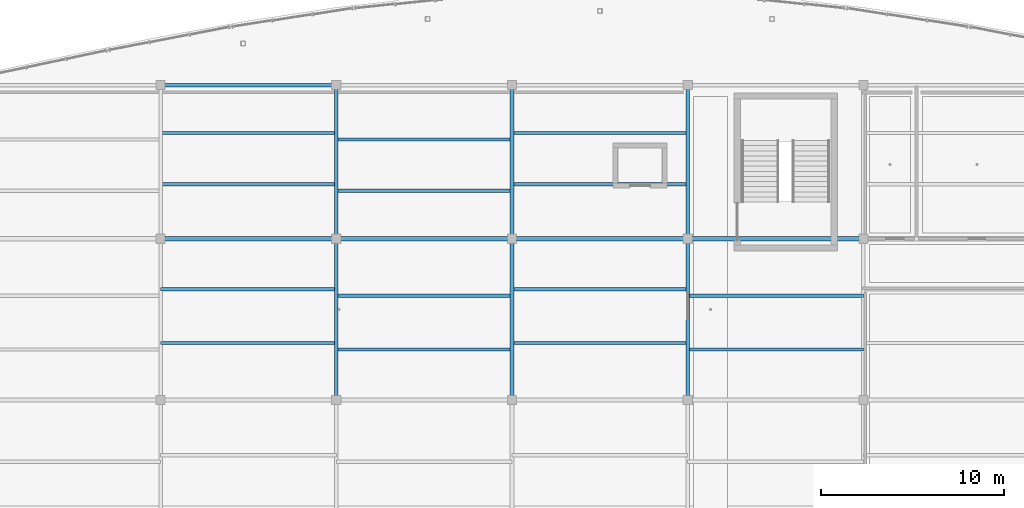
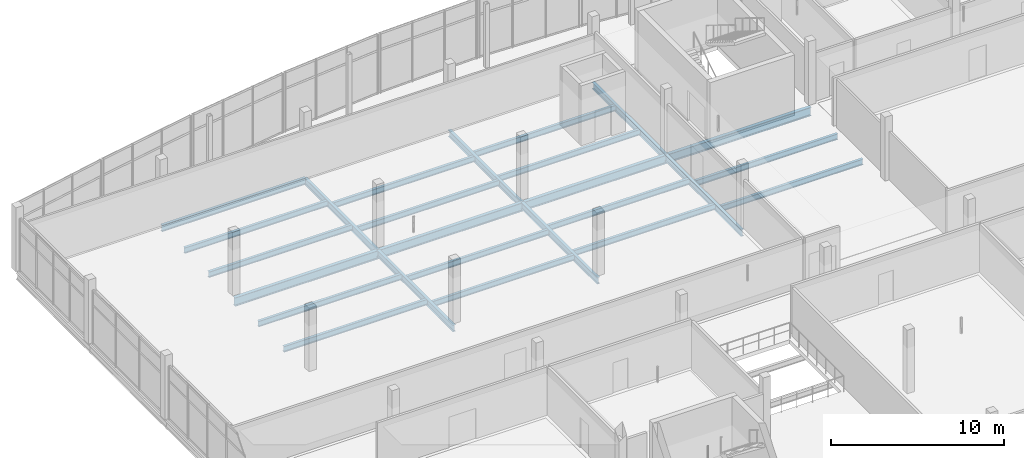
# One storey, part 68 of 114: 25 beams.
"""IFC4 building model written with IfcOpenShell, lengths in metres."""

from ifc_helpers import new_model, si_unit, direction, frame, origin, origin_2d, place, context, subcontext, project, spatial, i_section, extrude, material, material_profile, profile_set, type_object, element, save


model = new_model("IFC4")

# Units and contexts
model_context = context("Model", 3, precision=1e-05, world=origin(), true_north=direction((0.0, 1.0)))
body_context = subcontext(model_context, "Body", "Model", "MODEL_VIEW")
ifc_project = project(units=[si_unit("LENGTHUNIT", "METRE"), si_unit("AREAUNIT", "SQUARE_METRE"), si_unit("VOLUMEUNIT", "CUBIC_METRE"), si_unit("PLANEANGLEUNIT", "RADIAN"), si_unit("MASSUNIT", "GRAM", prefix="KILO")], contexts=[model_context])

# Site, building, storey
site_placement = place(None, origin())
site = spatial("IfcSite", under=ifc_project, at=site_placement, CompositionType="ELEMENT")
building_placement = place(site_placement, origin())
building = spatial("IfcBuilding", under=site, at=building_placement, Name="Chalmorin Arch Market", CompositionType="ELEMENT")
storey_placement = place(building_placement, frame((0.0, 0.0, 9.60009765625)))
storey = spatial("IfcBuildingStorey", under=building, at=storey_placement, Name="L02", CompositionType="ELEMENT", Elevation=9.60009765625)

# Beams
ifc_material = material(Name="Steel A992 Grade 50", Category="steel")
ifc_material_profile_1 = material_profile(ifc_material, i_section(OverallWidth=0.193115234375, OverallDepth=0.466064453125, WebThickness=0.011474609375, FlangeThickness=0.01904296875, FilletRadius=0.02001953125, at=origin_2d()), Name="W18X65")
ifc_profile_set_1 = profile_set([ifc_material_profile_1], Name="Steel A992 Grade 50")
beam_type_1 = type_object("IfcBeamType", Name="FloorSteelBeam-W18X65", PredefinedType="BEAM", material=ifc_profile_set_1)
beam_1_placement = place(storey_placement, frame((67.199951171875, 100.800048828125, -0.51513671875), z_axis=(0.0, 1.0, 0.0), x_axis=(-1.0, 0.0, 0.0)))
element("IfcBeam", 1, at=beam_1_placement, inside=storey, type_object=beam_type_1, Name="BM-W18A-1243", PredefinedType="BEAM", context=body_context, shape_type="SweptSolid", body=[
    extrude(i_section(OverallWidth=0.193115234375, OverallDepth=0.466064453125, WebThickness=0.011474609375, FlangeThickness=0.01904296875, FilletRadius=0.02001953125, at=origin_2d()), origin(), (0.0, 0.0, 1.0), 8.800048828125),
])
beam_2_placement = place(storey_placement, frame((67.199951171875, 109.60009765625, -0.51513671875), z_axis=(0.0, 1.0, 0.0), x_axis=(-1.0, 0.0, 0.0)))
element("IfcBeam", 2, at=beam_2_placement, inside=storey, type_object=beam_type_1, Name="BM-W18A-1245", PredefinedType="BEAM", context=body_context, shape_type="SweptSolid", body=[
    extrude(i_section(OverallWidth=0.193115234375, OverallDepth=0.466064453125, WebThickness=0.011474609375, FlangeThickness=0.01904296875, FilletRadius=0.02001953125, at=origin_2d()), origin(), (0.0, 0.0, 1.0), 8.39990234375),
])
beam_3_placement = place(storey_placement, frame((76.800048828125, 100.800048828125, -0.51513671875), z_axis=(0.0, 1.0, 0.0), x_axis=(-1.0, 0.0, 0.0)))
element("IfcBeam", 3, at=beam_3_placement, inside=storey, type_object=beam_type_1, Name="BM-W18A-1254", PredefinedType="BEAM", context=body_context, shape_type="SweptSolid", body=[
    extrude(i_section(OverallWidth=0.193115234375, OverallDepth=0.466064453125, WebThickness=0.011474609375, FlangeThickness=0.01904296875, FilletRadius=0.02001953125, at=origin_2d()), origin(), (0.0, 0.0, 1.0), 8.800048828125),
])
beam_4_placement = place(storey_placement, frame((76.800048828125, 109.60009765625, -0.51513671875), z_axis=(0.0, 1.0, 0.0), x_axis=(-1.0, 0.0, 0.0)))
element("IfcBeam", 4, at=beam_4_placement, inside=storey, type_object=beam_type_1, Name="BM-W18A-1256", PredefinedType="BEAM", context=body_context, shape_type="SweptSolid", body=[
    extrude(i_section(OverallWidth=0.193115234375, OverallDepth=0.466064453125, WebThickness=0.011474609375, FlangeThickness=0.01904296875, FilletRadius=0.02001953125, at=origin_2d()), origin(), (0.0, 0.0, 1.0), 8.39990234375),
])
beam_5_placement = place(storey_placement, frame((86.39990234375, 100.800048828125, -0.51513671875), z_axis=(0.0, 1.0, 0.0), x_axis=(-1.0, 0.0, 0.0)))
element("IfcBeam", 5, at=beam_5_placement, inside=storey, type_object=beam_type_1, Name="BM-W18A-1265", PredefinedType="BEAM", context=body_context, shape_type="SweptSolid", body=[
    extrude(i_section(OverallWidth=0.193115234375, OverallDepth=0.466064453125, WebThickness=0.011474609375, FlangeThickness=0.01904296875, FilletRadius=0.02001953125, at=origin_2d()), origin(), (0.0, 0.0, 1.0), 8.800048828125),
])
beam_6_placement = place(storey_placement, frame((86.39990234375, 109.60009765625, -0.51513671875), z_axis=(0.0, 1.0, 0.0), x_axis=(-1.0, 0.0, 0.0)))
element("IfcBeam", 6, at=beam_6_placement, inside=storey, type_object=beam_type_1, Name="BM-W18A-1267", PredefinedType="BEAM", context=body_context, shape_type="SweptSolid", body=[
    extrude(i_section(OverallWidth=0.193115234375, OverallDepth=0.466064453125, WebThickness=0.011474609375, FlangeThickness=0.01904296875, FilletRadius=0.02001953125, at=origin_2d()), origin(), (0.0, 0.0, 1.0), 8.39990234375),
])
ifc_material_profile_2 = material_profile(ifc_material, i_section(OverallWidth=0.19091796875, OverallDepth=0.45703125, WebThickness=0.009033203125, FlangeThickness=0.014404296875, FilletRadius=0.02001953125, at=origin_2d()), Name="W18X50")
ifc_profile_set_2 = profile_set([ifc_material_profile_2], Name="Steel A992 Grade 50")
beam_type_2 = type_object("IfcBeamType", Name="PerimeterSpandrelBeam-W18X50", PredefinedType="SPANDREL", material=ifc_profile_set_2)
beam_7_placement = place(storey_placement, frame((57.60009765625, 118.0, -0.510498046875), z_axis=(1.0, 0.0, 0.0), x_axis=(0.0, 1.0, 0.0)))
element("IfcBeam", 7, at=beam_7_placement, inside=storey, type_object=beam_type_2, Name="SP-W18-1244", PredefinedType="SPANDREL", context=body_context, shape_type="SweptSolid", body=[
    extrude(i_section(OverallWidth=0.19091796875, OverallDepth=0.45703125, WebThickness=0.009033203125, FlangeThickness=0.014404296875, FilletRadius=0.02001953125, at=origin_2d()), origin(), (0.0, 0.0, 1.0), 9.599853515625),
])
ifc_material_profile_3 = material_profile(ifc_material, i_section(OverallWidth=0.22802734375, OverallDepth=0.60791015625, WebThickness=0.01123046875, FlangeThickness=0.017333984375, FilletRadius=0.02392578125, at=origin_2d()), Name="W24X76")
ifc_profile_set_3 = profile_set([ifc_material_profile_3], Name="Steel A992 Grade 50")
beam_type_3 = type_object("IfcBeamType", Name="PrimarySteelGirder-W24X76", PredefinedType="BEAM", material=ifc_profile_set_3)
beam_8_placement = place(storey_placement, frame((57.60009765625, 109.60009765625, -0.586181640625), z_axis=(1.0, 0.0, 0.0), x_axis=(0.0, 1.0, 0.0)))
element("IfcBeam", 8, at=beam_8_placement, inside=storey, type_object=beam_type_3, Name="BG-W24B-1242", PredefinedType="BEAM", context=body_context, shape_type="SweptSolid", body=[
    extrude(i_section(OverallWidth=0.22802734375, OverallDepth=0.60791015625, WebThickness=0.01123046875, FlangeThickness=0.017333984375, FilletRadius=0.02392578125, at=origin_2d()), origin(), (0.0, 0.0, 1.0), 9.599853515625),
])
beam_9_placement = place(storey_placement, frame((67.199951171875, 109.60009765625, -0.586181640625), z_axis=(1.0, 0.0, 0.0), x_axis=(0.0, 1.0, 0.0)))
element("IfcBeam", 9, at=beam_9_placement, inside=storey, type_object=beam_type_3, Name="BG-W24B-1253", PredefinedType="BEAM", context=body_context, shape_type="SweptSolid", body=[
    extrude(i_section(OverallWidth=0.22802734375, OverallDepth=0.60791015625, WebThickness=0.01123046875, FlangeThickness=0.017333984375, FilletRadius=0.02392578125, at=origin_2d()), origin(), (0.0, 0.0, 1.0), 9.60009765625),
])
beam_10_placement = place(storey_placement, frame((76.800048828125, 109.60009765625, -0.586181640625), z_axis=(1.0, 0.0, 0.0), x_axis=(0.0, 1.0, 0.0)))
element("IfcBeam", 10, at=beam_10_placement, inside=storey, type_object=beam_type_3, Name="BG-W24B-1264", PredefinedType="BEAM", context=body_context, shape_type="SweptSolid", body=[
    extrude(i_section(OverallWidth=0.22802734375, OverallDepth=0.60791015625, WebThickness=0.01123046875, FlangeThickness=0.017333984375, FilletRadius=0.02392578125, at=origin_2d()), origin(), (0.0, 0.0, 1.0), 9.599853515625),
])
beam_11_placement = place(storey_placement, frame((86.39990234375, 109.60009765625, -0.586181640625), z_axis=(1.0, 0.0, 0.0), x_axis=(0.0, 1.0, 0.0)))
element("IfcBeam", 11, at=beam_11_placement, inside=storey, type_object=beam_type_3, Name="BG-W24B-1275", PredefinedType="BEAM", context=body_context, shape_type="SweptSolid", body=[
    extrude(i_section(OverallWidth=0.22802734375, OverallDepth=0.60791015625, WebThickness=0.01123046875, FlangeThickness=0.017333984375, FilletRadius=0.02392578125, at=origin_2d()), origin(), (0.0, 0.0, 1.0), 9.60009765625),
])
ifc_material_profile_4 = material_profile(ifc_material, i_section(OverallWidth=0.177978515625, OverallDepth=0.403076171875, WebThickness=0.007568359375, FlangeThickness=0.010986328125, FilletRadius=0.01806640625, at=origin_2d()), Name="W16X36")
ifc_profile_set_4 = profile_set([ifc_material_profile_4], Name="Steel A992 Grade 50")
beam_type_4 = type_object("IfcBeamType", Name="SecondaryFloorJoist-W16X36", PredefinedType="JOIST", material=ifc_profile_set_4)
for number, where, z_axis, x_axis, name in (
    (12, (57.60009765625, 103.913330078125, -0.483642578125), (1.0, 0.0, 0.0), (0.0, 1.0, 0.0), "BJ-W16B-1315"),
    (13, (57.60009765625, 106.8466796875, -0.483642578125), (1.0, 0.0, 0.0), (0.0, 1.0, 0.0), "BJ-W16B-1316"),
    (14, (57.60009765625, 112.580078125, -0.483642578125), (1.0, 0.0, 0.0), (0.0, 1.0, 0.0), "BJ-W16B-1317"),
    (15, (57.60009765625, 115.3798828125, -0.483642578125), (1.0, 0.0, 0.0), (0.0, 1.0, 0.0), "BJ-W16B-1318"),
):
    element("IfcBeam", number, at=place(storey_placement, frame(where, z_axis=z_axis, x_axis=x_axis)), inside=storey, type_object=beam_type_4, Name=name, PredefinedType="JOIST", context=body_context, shape_type="SweptSolid", body=[
        extrude(i_section(OverallWidth=0.177978515625, OverallDepth=0.403076171875, WebThickness=0.007568359375, FlangeThickness=0.010986328125, FilletRadius=0.01806640625, at=origin_2d()), origin(), (0.0, 0.0, 1.0), 9.599853515625),
    ])
for number, where, z_axis, x_axis, name in (
    (16, (67.199951171875, 103.55322265625, -0.483642578125), (1.0, 0.0, 0.0), (0.0, 1.0, 0.0), "BJ-W16B-1321"),
    (17, (67.199951171875, 106.48681640625, -0.483642578125), (1.0, 0.0, 0.0), (0.0, 1.0, 0.0), "BJ-W16B-1322"),
    (18, (67.199951171875, 112.219970703125, -0.483642578125), (1.0, 0.0, 0.0), (0.0, 1.0, 0.0), "BJ-W16B-1323"),
    (19, (67.199951171875, 115.02001953125, -0.483642578125), (1.0, 0.0, 0.0), (0.0, 1.0, 0.0), "BJ-W16B-1324"),
):
    element("IfcBeam", number, at=place(storey_placement, frame(where, z_axis=z_axis, x_axis=x_axis)), inside=storey, type_object=beam_type_4, Name=name, PredefinedType="JOIST", context=body_context, shape_type="SweptSolid", body=[
        extrude(i_section(OverallWidth=0.177978515625, OverallDepth=0.403076171875, WebThickness=0.007568359375, FlangeThickness=0.010986328125, FilletRadius=0.01806640625, at=origin_2d()), origin(), (0.0, 0.0, 1.0), 9.60009765625),
    ])
for number, where, z_axis, x_axis, name in (
    (20, (76.800048828125, 103.913330078125, -0.483642578125), (1.0, 0.0, 0.0), (0.0, 1.0, 0.0), "BJ-W16B-1331"),
    (21, (76.800048828125, 106.8466796875, -0.483642578125), (1.0, 0.0, 0.0), (0.0, 1.0, 0.0), "BJ-W16B-1332"),
    (22, (76.800048828125, 112.580078125, -0.483642578125), (1.0, 0.0, 0.0), (0.0, 1.0, 0.0), "BJ-W16B-1333"),
    (23, (76.800048828125, 115.3798828125, -0.483642578125), (1.0, 0.0, 0.0), (0.0, 1.0, 0.0), "BJ-W16B-1334"),
):
    element("IfcBeam", number, at=place(storey_placement, frame(where, z_axis=z_axis, x_axis=x_axis)), inside=storey, type_object=beam_type_4, Name=name, PredefinedType="JOIST", context=body_context, shape_type="SweptSolid", body=[
        extrude(i_section(OverallWidth=0.177978515625, OverallDepth=0.403076171875, WebThickness=0.007568359375, FlangeThickness=0.010986328125, FilletRadius=0.01806640625, at=origin_2d()), origin(), (0.0, 0.0, 1.0), 9.599853515625),
    ])
for number, where, z_axis, x_axis, name in (
    (24, (86.39990234375, 103.55322265625, -0.483642578125), (1.0, 0.0, 0.0), (0.0, 1.0, 0.0), "BJ-W16B-1341"),
    (25, (86.39990234375, 106.48681640625, -0.483642578125), (1.0, 0.0, 0.0), (0.0, 1.0, 0.0), "BJ-W16B-1342"),
):
    element("IfcBeam", number, at=place(storey_placement, frame(where, z_axis=z_axis, x_axis=x_axis)), inside=storey, type_object=beam_type_4, Name=name, PredefinedType="JOIST", context=body_context, shape_type="SweptSolid", body=[
        extrude(i_section(OverallWidth=0.177978515625, OverallDepth=0.403076171875, WebThickness=0.007568359375, FlangeThickness=0.010986328125, FilletRadius=0.01806640625, at=origin_2d()), origin(), (0.0, 0.0, 1.0), 9.60009765625),
    ])

save(model, "model.ifc")
